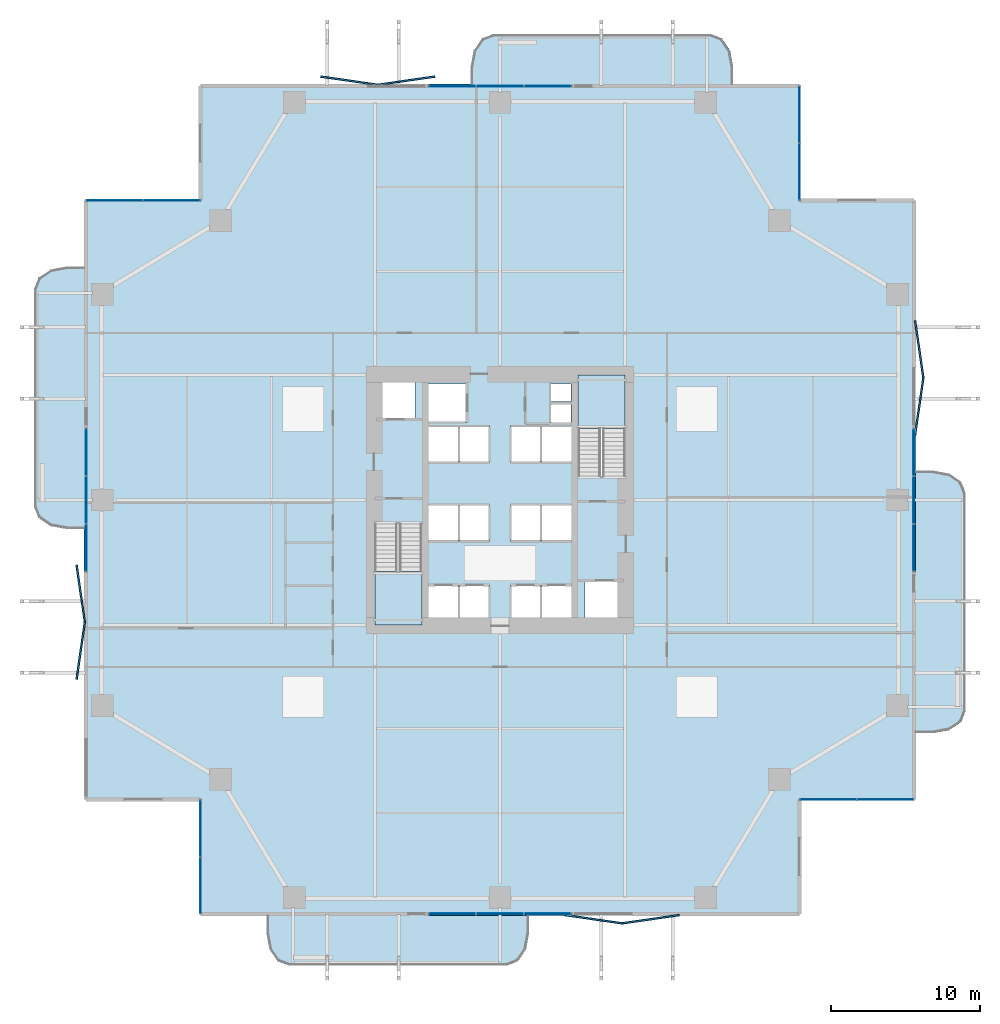
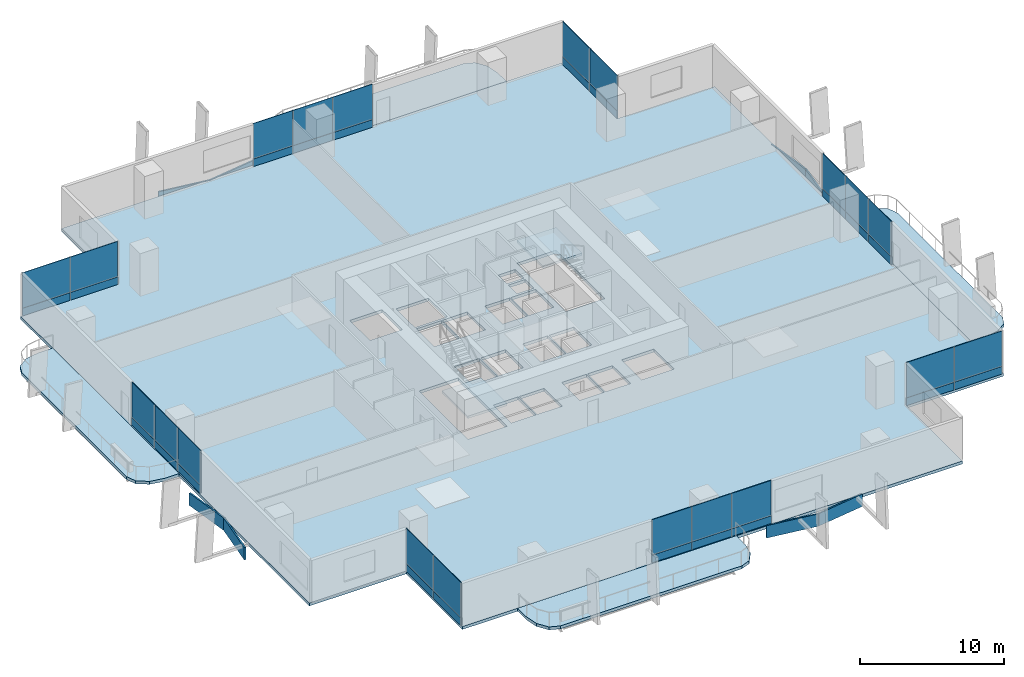
# One storey, part 23 of 30: 48 plates, 7 slabs, 10 elements without a shape of their own.
"""IFC4 building model written with IfcOpenShell, lengths in metres."""

from ifc_helpers import new_model, si_unit, direction, frame, origin, origin_2d, place, context, subcontext, project, spatial, polyline, rectangle, outline, extrude, material, layer, layer_set, type_object, element, aggregate, save


model = new_model("IFC4")

# Units and contexts
model_context = context("Model", 3, precision=1e-05, world=origin(), true_north=direction((0.0, 1.0)))
body_context = subcontext(model_context, "Body", "Model", "MODEL_VIEW")
ifc_project = project(units=[si_unit("LENGTHUNIT", "METRE"), si_unit("AREAUNIT", "SQUARE_METRE"), si_unit("VOLUMEUNIT", "CUBIC_METRE"), si_unit("PLANEANGLEUNIT", "RADIAN"), si_unit("MASSUNIT", "GRAM", prefix="KILO")], contexts=[model_context])

# Site, building, storey
site_placement = place(None, origin())
site = spatial("IfcSite", under=ifc_project, at=site_placement, CompositionType="ELEMENT")
building_placement = place(site_placement, origin())
building = spatial("IfcBuilding", under=site, at=building_placement, Name="Belovzor Exchange Tower", CompositionType="ELEMENT")
storey_placement = place(building_placement, frame((0.0, 0.0, 30.0)))
storey = spatial("IfcBuildingStorey", under=building, at=storey_placement, Name="L06", CompositionType="ELEMENT", Elevation=30.0)

# Slab
ifc_material_1 = material(Name="Concrete C40/50", Category="concrete")
ifc_layer_1 = layer(ifc_material_1, 0.25)
ifc_layer_set_1 = layer_set([ifc_layer_1], Name="Concrete C40/50")
slab_type_1 = type_object("IfcSlabType", Name="Composite Concrete Floor Deck Slab 250", PredefinedType="FLOOR", material=ifc_layer_set_1)
slab_1_placement = place(storey_placement, frame((0.0, 0.0, -0.25)))
element("IfcSlab", 1, at=slab_1_placement, inside=storey, type_object=slab_type_1, Name="SL-F250 Structural Slab L06", PredefinedType="FLOOR", context=body_context, shape_type="SweptSolid", body=[
    extrude(outline(polyline([(8.699951171875, 0.89990234375), (48.89990234375, 0.89990234375), (48.89990234375, 8.699951171875), (56.699951171875, 8.699951171875), (56.699951171875, 48.89990234375), (48.89990234375, 48.89990234375), (48.89990234375, 56.699951171875), (8.699951171875, 56.699951171875), (8.699951171875, 48.89990234375), (0.89990234375, 48.89990234375), (0.89990234375, 8.699951171875), (8.699951171875, 8.699951171875), (8.699951171875, 0.89990234375)]), holes=[polyline([(20.39990234375, 27.175048828125), (20.39990234375, 20.39990234375), (23.550048828125, 20.39990234375), (23.550048828125, 27.175048828125), (20.39990234375, 27.175048828125)]), polyline([(37.199951171875, 30.425048828125), (37.199951171875, 37.199951171875), (34.050048828125, 37.199951171875), (34.050048828125, 30.425048828125), (37.199951171875, 30.425048828125)]), polyline([(20.5, 34.199951171875), (23.10009765625, 34.199951171875), (23.10009765625, 37.0), (20.5, 37.0), (20.5, 34.199951171875)]), polyline([(34.5, 20.60009765625), (37.10009765625, 20.60009765625), (37.10009765625, 23.39990234375), (34.5, 23.39990234375), (34.5, 20.60009765625)]), polyline([(24.0, 34.0), (26.60009765625, 34.0), (26.60009765625, 36.60009765625), (24.0, 36.60009765625), (24.0, 34.0)]), polyline([(24.0, 20.60009765625), (26.0, 20.60009765625), (26.0, 23.10009765625), (24.0, 23.10009765625), (24.0, 20.60009765625)]), polyline([(26.10009765625, 20.60009765625), (28.10009765625, 20.60009765625), (28.10009765625, 23.10009765625), (26.10009765625, 23.10009765625), (26.10009765625, 20.60009765625)]), polyline([(29.5, 20.60009765625), (31.5, 20.60009765625), (31.5, 23.10009765625), (29.5, 23.10009765625), (29.5, 20.60009765625)]), polyline([(31.60009765625, 20.60009765625), (33.60009765625, 20.60009765625), (33.60009765625, 23.10009765625), (31.60009765625, 23.10009765625), (31.60009765625, 20.60009765625)]), polyline([(24.0, 26.0), (26.0, 26.0), (26.0, 28.5), (24.0, 28.5), (24.0, 26.0)]), polyline([(26.10009765625, 26.0), (28.10009765625, 26.0), (28.10009765625, 28.5), (26.10009765625, 28.5), (26.10009765625, 26.0)]), polyline([(29.5, 26.0), (31.5, 26.0), (31.5, 28.5), (29.5, 28.5), (29.5, 26.0)]), polyline([(31.60009765625, 26.0), (33.60009765625, 26.0), (33.60009765625, 28.5), (31.60009765625, 28.5), (31.60009765625, 26.0)]), polyline([(24.0, 31.300048828125), (26.0, 31.300048828125), (26.0, 33.800048828125), (24.0, 33.800048828125), (24.0, 31.300048828125)]), polyline([(26.10009765625, 31.300048828125), (28.10009765625, 31.300048828125), (28.10009765625, 33.800048828125), (26.10009765625, 33.800048828125), (26.10009765625, 31.300048828125)]), polyline([(29.5, 31.300048828125), (31.5, 31.300048828125), (31.5, 33.800048828125), (29.5, 33.800048828125), (29.5, 31.300048828125)]), polyline([(31.60009765625, 31.300048828125), (33.60009765625, 31.300048828125), (33.60009765625, 33.800048828125), (31.60009765625, 33.800048828125), (31.60009765625, 31.300048828125)]), polyline([(32.199951171875, 34.0), (33.550048828125, 34.0), (33.550048828125, 35.199951171875), (32.199951171875, 35.199951171875), (32.199951171875, 34.0)]), polyline([(32.199951171875, 35.39990234375), (33.550048828125, 35.39990234375), (33.550048828125, 36.60009765625), (32.199951171875, 36.60009765625), (32.199951171875, 35.39990234375)])]), origin(), (0.0, 0.0, 1.0), 0.25),
])

# Plates
ifc_material_2 = material(Name="Extruded Architectural Terracotta", Category="masonry")
ifc_layer_2 = layer(ifc_material_2, 0.1201171875)
ifc_layer_set_2 = layer_set([ifc_layer_2], Name="Extruded Architectural Terracotta")
plate_type_1 = type_object("IfcPlateType", Name="Folded Zigzag Terracotta Spandrel Louvre 80", PredefinedType="USERDEFINED", material=ifc_layer_set_2)
for number, where, z_axis, x_axis, name in (
    (2, (18.699951171875, 56.93505859375, -1.03515625), (0.0, 0.0, 1.0), (0.989686419138, -0.143250800258, 0.0), "LVR-ZZ1 Zigzag Terracotta Spandrel Louvre L06 N1A"),
    (3, (22.5, 56.93505859375, -1.03515625), (0.0, 0.0, 1.0), (0.989686419138, 0.143250800258, 0.0), "LVR-ZZ1 Zigzag Terracotta Spandrel Louvre L06 N1B"),
    (4, (0.6650390625, 18.699951171875, -1.03515625), (0.0, 0.0, 1.0), (0.143250800258, 0.989686419138, 0.0), "LVR-ZZ1 Zigzag Terracotta Spandrel Louvre L06 W1A"),
    (5, (0.6650390625, 22.5, -1.03515625), (0.0, 0.0, 1.0), (-0.143250800258, 0.989686419138, 0.0), "LVR-ZZ1 Zigzag Terracotta Spandrel Louvre L06 W1B"),
    (6, (35.10009765625, 0.6650390625, -1.03515625), (0.0, 0.0, 1.0), (0.989686419138, -0.143250800258, 0.0), "LVR-ZZ1 Zigzag Terracotta Spandrel Louvre L06 S2A"),
    (7, (38.89990234375, 0.6650390625, -1.03515625), (0.0, 0.0, 1.0), (0.989686419138, 0.143250800258, 0.0), "LVR-ZZ1 Zigzag Terracotta Spandrel Louvre L06 S2B"),
    (8, (56.93505859375, 35.10009765625, -1.03515625), (0.0, 0.0, 1.0), (0.143250800258, 0.989686419138, 0.0), "LVR-ZZ1 Zigzag Terracotta Spandrel Louvre L06 E2A"),
    (9, (56.93505859375, 38.89990234375, -1.03515625), (0.0, 0.0, 1.0), (-0.143250800258, 0.989686419138, 0.0), "LVR-ZZ1 Zigzag Terracotta Spandrel Louvre L06 E2B"),
):
    element("IfcPlate", number, at=place(storey_placement, frame(where, z_axis=z_axis, x_axis=x_axis)), inside=storey, type_object=plate_type_1, Name=name, ObjectType="SPANDREL_LOUVRE", PredefinedType="USERDEFINED", context=body_context, shape_type="SweptSolid", body=[
        extrude(rectangle(XDim=3.919921875, YDim=0.1201171875, at=origin_2d()), origin(), (0.0, 0.0, 1.0), 1.050048828125),
    ])

# Curtain wall, plates
ifc_material_3 = material(Name="Anodised Aluminium Framing", Category="aluminium")
ifc_layer_3 = layer(ifc_material_3, 0.179931640625)
ifc_layer_set_3 = layer_set([ifc_layer_3], Name="Anodised Aluminium Framing")
curtain_wall_type_1 = type_object("IfcCurtainWallType", Name="Recessed Loggia Low-Iron Triple-Glazed Curtain Wall", PredefinedType="NOTDEFINED", material=ifc_layer_set_3)
curtain_wall_1_placement = place(storey_placement, origin())
curtain_wall_1 = element("IfcCurtainWall", 10, at=curtain_wall_1_placement, inside=storey, type_object=curtain_wall_type_1, Name="CW3 Recessed Loggia Low-Iron Triple-Glazed Curtain Wall L06", PredefinedType="NOTDEFINED")
ifc_material_4 = material(Name="Solar-Control Triple Glazing", Category="glass")
ifc_layer_4 = layer(ifc_material_4, 0.0439453125)
ifc_layer_set_4 = layer_set([ifc_layer_4], Name="Solar-Control Triple Glazing")
plate_type_2 = type_object("IfcPlateType", Name="Insulated Solar Glazing Curtain Panel 44", PredefinedType="CURTAIN_PANEL", material=ifc_layer_set_4)
plate_1_placement = place(storey_placement, frame((32.0, 1.030029296875, 0.65185546875), z_axis=(0.0, 0.0, 1.0), x_axis=(-1.0, 0.0, 0.0)))
plate_1 = element("IfcPlate", 11, at=plate_1_placement, type_object=plate_type_2, Name="GLZ-44 Glazed Curtain Panel 1", PredefinedType="CURTAIN_PANEL", context=body_context, shape_type="SweptSolid", body=[
    extrude(rectangle(XDim=3.18408203125, YDim=0.0439453125, at=origin_2d()), origin(), (0.0, 0.0, 1.0), 2.998046875),
])
plate_2_placement = place(storey_placement, frame((28.800048828125, 1.030029296875, 0.65185546875), z_axis=(0.0, 0.0, 1.0), x_axis=(-1.0, 0.0, 0.0)))
plate_2 = element("IfcPlate", 12, at=plate_2_placement, type_object=plate_type_2, Name="GLZ-44 Glazed Curtain Panel 2", PredefinedType="CURTAIN_PANEL", context=body_context, shape_type="SweptSolid", body=[
    extrude(rectangle(XDim=3.18408203125, YDim=0.0439453125, at=origin_2d()), origin(), (0.0, 0.0, 1.0), 2.998046875),
])
plate_3_placement = place(storey_placement, frame((25.60009765625, 1.030029296875, 0.65185546875), z_axis=(0.0, 0.0, 1.0), x_axis=(-1.0, 0.0, 0.0)))
plate_3 = element("IfcPlate", 13, at=plate_3_placement, type_object=plate_type_2, Name="GLZ-44 Glazed Curtain Panel 3", PredefinedType="CURTAIN_PANEL", context=body_context, shape_type="SweptSolid", body=[
    extrude(rectangle(XDim=3.18408203125, YDim=0.0439453125, at=origin_2d()), origin(), (0.0, 0.0, 1.0), 2.998046875),
])

curtain_wall_2_placement = place(storey_placement, origin())
curtain_wall_2 = element("IfcCurtainWall", 14, at=curtain_wall_2_placement, inside=storey, type_object=curtain_wall_type_1, Name="CW3 Recessed Loggia Low-Iron Triple-Glazed Curtain Wall L06", PredefinedType="NOTDEFINED")
plate_4_placement = place(storey_placement, frame((25.60009765625, 56.570068359375, 0.65185546875), z_axis=(0.0, 0.0, 1.0), x_axis=(1.0, 0.0, 0.0)))
plate_4 = element("IfcPlate", 15, at=plate_4_placement, type_object=plate_type_2, Name="GLZ-44 Glazed Curtain Panel 1", PredefinedType="CURTAIN_PANEL", context=body_context, shape_type="SweptSolid", body=[
    extrude(rectangle(XDim=3.18408203125, YDim=0.0439453125, at=origin_2d()), origin(), (0.0, 0.0, 1.0), 2.998046875),
])
plate_5_placement = place(storey_placement, frame((28.800048828125, 56.570068359375, 0.65185546875), z_axis=(0.0, 0.0, 1.0), x_axis=(1.0, 0.0, 0.0)))
plate_5 = element("IfcPlate", 16, at=plate_5_placement, type_object=plate_type_2, Name="GLZ-44 Glazed Curtain Panel 2", PredefinedType="CURTAIN_PANEL", context=body_context, shape_type="SweptSolid", body=[
    extrude(rectangle(XDim=3.18408203125, YDim=0.0439453125, at=origin_2d()), origin(), (0.0, 0.0, 1.0), 2.998046875),
])
plate_6_placement = place(storey_placement, frame((32.0, 56.570068359375, 0.65185546875), z_axis=(0.0, 0.0, 1.0), x_axis=(1.0, 0.0, 0.0)))
plate_6 = element("IfcPlate", 17, at=plate_6_placement, type_object=plate_type_2, Name="GLZ-44 Glazed Curtain Panel 3", PredefinedType="CURTAIN_PANEL", context=body_context, shape_type="SweptSolid", body=[
    extrude(rectangle(XDim=3.18408203125, YDim=0.0439453125, at=origin_2d()), origin(), (0.0, 0.0, 1.0), 2.998046875),
])

curtain_wall_3_placement = place(storey_placement, origin())
curtain_wall_3 = element("IfcCurtainWall", 18, at=curtain_wall_3_placement, inside=storey, type_object=curtain_wall_type_1, Name="CW3 Recessed Loggia Low-Iron Triple-Glazed Curtain Wall L06", PredefinedType="NOTDEFINED")
plate_7_placement = place(storey_placement, frame((1.030029296875, 25.60009765625, 0.65185546875), z_axis=(0.0, 0.0, 1.0), x_axis=(0.0, 1.0, 0.0)))
plate_7 = element("IfcPlate", 19, at=plate_7_placement, type_object=plate_type_2, Name="GLZ-44 Glazed Curtain Panel 1", PredefinedType="CURTAIN_PANEL", context=body_context, shape_type="SweptSolid", body=[
    extrude(rectangle(XDim=3.18408203125, YDim=0.0439453125, at=origin_2d()), origin(), (0.0, 0.0, 1.0), 2.998046875),
])
plate_8_placement = place(storey_placement, frame((1.030029296875, 28.800048828125, 0.65185546875), z_axis=(0.0, 0.0, 1.0), x_axis=(0.0, 1.0, 0.0)))
plate_8 = element("IfcPlate", 20, at=plate_8_placement, type_object=plate_type_2, Name="GLZ-44 Glazed Curtain Panel 2", PredefinedType="CURTAIN_PANEL", context=body_context, shape_type="SweptSolid", body=[
    extrude(rectangle(XDim=3.18408203125, YDim=0.0439453125, at=origin_2d()), origin(), (0.0, 0.0, 1.0), 2.998046875),
])
plate_9_placement = place(storey_placement, frame((1.030029296875, 32.0, 0.65185546875), z_axis=(0.0, 0.0, 1.0), x_axis=(0.0, 1.0, 0.0)))
plate_9 = element("IfcPlate", 21, at=plate_9_placement, type_object=plate_type_2, Name="GLZ-44 Glazed Curtain Panel 3", PredefinedType="CURTAIN_PANEL", context=body_context, shape_type="SweptSolid", body=[
    extrude(rectangle(XDim=3.18408203125, YDim=0.0439453125, at=origin_2d()), origin(), (0.0, 0.0, 1.0), 2.998046875),
])

curtain_wall_4_placement = place(storey_placement, origin())
curtain_wall_4 = element("IfcCurtainWall", 22, at=curtain_wall_4_placement, inside=storey, type_object=curtain_wall_type_1, Name="CW3 Recessed Loggia Low-Iron Triple-Glazed Curtain Wall L06", PredefinedType="NOTDEFINED")
plate_10_placement = place(storey_placement, frame((56.570068359375, 32.0, 0.65185546875), z_axis=(0.0, 0.0, 1.0), x_axis=(0.0, -1.0, 0.0)))
plate_10 = element("IfcPlate", 23, at=plate_10_placement, type_object=plate_type_2, Name="GLZ-44 Glazed Curtain Panel 1", PredefinedType="CURTAIN_PANEL", context=body_context, shape_type="SweptSolid", body=[
    extrude(rectangle(XDim=3.18408203125, YDim=0.0439453125, at=origin_2d()), origin(), (0.0, 0.0, 1.0), 2.998046875),
])
plate_11_placement = place(storey_placement, frame((56.570068359375, 28.800048828125, 0.65185546875), z_axis=(0.0, 0.0, 1.0), x_axis=(0.0, -1.0, 0.0)))
plate_11 = element("IfcPlate", 24, at=plate_11_placement, type_object=plate_type_2, Name="GLZ-44 Glazed Curtain Panel 2", PredefinedType="CURTAIN_PANEL", context=body_context, shape_type="SweptSolid", body=[
    extrude(rectangle(XDim=3.18408203125, YDim=0.0439453125, at=origin_2d()), origin(), (0.0, 0.0, 1.0), 2.998046875),
])
plate_12_placement = place(storey_placement, frame((56.570068359375, 25.60009765625, 0.65185546875), z_axis=(0.0, 0.0, 1.0), x_axis=(0.0, -1.0, 0.0)))
plate_12 = element("IfcPlate", 25, at=plate_12_placement, type_object=plate_type_2, Name="GLZ-44 Glazed Curtain Panel 3", PredefinedType="CURTAIN_PANEL", context=body_context, shape_type="SweptSolid", body=[
    extrude(rectangle(XDim=3.18408203125, YDim=0.0439453125, at=origin_2d()), origin(), (0.0, 0.0, 1.0), 2.998046875),
])

ifc_material_5 = material(Name="Anodised Aluminium Framing", Category="aluminium")
ifc_layer_5 = layer(ifc_material_5, 0.195068359375)
ifc_layer_set_5 = layer_set([ifc_layer_5], Name="Anodised Aluminium Framing")
curtain_wall_type_2 = type_object("IfcCurtainWallType", Name="Notched Re-Entrant Corner Unitised Curtain Wall", PredefinedType="NOTDEFINED", material=ifc_layer_set_5)
curtain_wall_5_placement = place(storey_placement, origin())
curtain_wall_5 = element("IfcCurtainWall", 26, at=curtain_wall_5_placement, inside=storey, type_object=curtain_wall_type_2, Name="CW5 Notched Re-Entrant Corner Unitised Curtain Wall L06", PredefinedType="NOTDEFINED")
plate_13_placement = place(storey_placement, frame((8.699951171875, 2.947021484375, 0.65185546875), z_axis=(0.0, 0.0, 1.0), x_axis=(0.0, 1.0, 0.0)))
plate_13 = element("IfcPlate", 27, at=plate_13_placement, type_object=plate_type_2, Name="GLZ-44 Glazed Curtain Panel 1", PredefinedType="CURTAIN_PANEL", context=body_context, shape_type="SweptSolid", body=[
    extrude(rectangle(XDim=3.819091796875, YDim=0.0439453125, at=origin_2d()), origin(), (0.0, 0.0, 1.0), 2.998046875),
])
plate_14_placement = place(storey_placement, frame((8.699951171875, 6.781982421875, 0.65185546875), z_axis=(0.0, 0.0, 1.0), x_axis=(0.0, 1.0, 0.0)))
plate_14 = element("IfcPlate", 28, at=plate_14_placement, type_object=plate_type_2, Name="GLZ-44 Glazed Curtain Panel 2", PredefinedType="CURTAIN_PANEL", context=body_context, shape_type="SweptSolid", body=[
    extrude(rectangle(XDim=3.819091796875, YDim=0.0439453125, at=origin_2d()), origin(), (0.0, 0.0, 1.0), 2.998046875),
])

curtain_wall_6_placement = place(storey_placement, origin())
curtain_wall_6 = element("IfcCurtainWall", 29, at=curtain_wall_6_placement, inside=storey, type_object=curtain_wall_type_2, Name="CW5 Notched Re-Entrant Corner Unitised Curtain Wall L06", PredefinedType="NOTDEFINED")
plate_15_placement = place(storey_placement, frame((2.947021484375, 48.89990234375, 0.65185546875), z_axis=(0.0, 0.0, 1.0), x_axis=(1.0, 0.0, 0.0)))
plate_15 = element("IfcPlate", 30, at=plate_15_placement, type_object=plate_type_2, Name="GLZ-44 Glazed Curtain Panel 1", PredefinedType="CURTAIN_PANEL", context=body_context, shape_type="SweptSolid", body=[
    extrude(rectangle(XDim=3.819091796875, YDim=0.0439453125, at=origin_2d()), origin(), (0.0, 0.0, 1.0), 2.998046875),
])
plate_16_placement = place(storey_placement, frame((6.781982421875, 48.89990234375, 0.65185546875), z_axis=(0.0, 0.0, 1.0), x_axis=(1.0, 0.0, 0.0)))
plate_16 = element("IfcPlate", 31, at=plate_16_placement, type_object=plate_type_2, Name="GLZ-44 Glazed Curtain Panel 2", PredefinedType="CURTAIN_PANEL", context=body_context, shape_type="SweptSolid", body=[
    extrude(rectangle(XDim=3.819091796875, YDim=0.0439453125, at=origin_2d()), origin(), (0.0, 0.0, 1.0), 2.998046875),
])

curtain_wall_7_placement = place(storey_placement, origin())
curtain_wall_7 = element("IfcCurtainWall", 32, at=curtain_wall_7_placement, inside=storey, type_object=curtain_wall_type_2, Name="CW5 Notched Re-Entrant Corner Unitised Curtain Wall L06", PredefinedType="NOTDEFINED")
plate_17_placement = place(storey_placement, frame((48.89990234375, 54.653076171875, 0.65185546875), z_axis=(0.0, 0.0, 1.0), x_axis=(0.0, -1.0, 0.0)))
plate_17 = element("IfcPlate", 33, at=plate_17_placement, type_object=plate_type_2, Name="GLZ-44 Glazed Curtain Panel 1", PredefinedType="CURTAIN_PANEL", context=body_context, shape_type="SweptSolid", body=[
    extrude(rectangle(XDim=3.819091796875, YDim=0.0439453125, at=origin_2d()), origin(), (0.0, 0.0, 1.0), 2.998046875),
])
plate_18_placement = place(storey_placement, frame((48.89990234375, 50.81689453125, 0.65185546875), z_axis=(0.0, 0.0, 1.0), x_axis=(0.0, -1.0, 0.0)))
plate_18 = element("IfcPlate", 34, at=plate_18_placement, type_object=plate_type_2, Name="GLZ-44 Glazed Curtain Panel 2", PredefinedType="CURTAIN_PANEL", context=body_context, shape_type="SweptSolid", body=[
    extrude(rectangle(XDim=3.819091796875, YDim=0.0439453125, at=origin_2d()), origin(), (0.0, 0.0, 1.0), 2.998046875),
])

curtain_wall_8_placement = place(storey_placement, origin())
curtain_wall_8 = element("IfcCurtainWall", 35, at=curtain_wall_8_placement, inside=storey, type_object=curtain_wall_type_2, Name="CW5 Notched Re-Entrant Corner Unitised Curtain Wall L06", PredefinedType="NOTDEFINED")
plate_19_placement = place(storey_placement, frame((54.653076171875, 8.699951171875, 0.65185546875), z_axis=(0.0, 0.0, 1.0), x_axis=(-1.0, 0.0, 0.0)))
plate_19 = element("IfcPlate", 36, at=plate_19_placement, type_object=plate_type_2, Name="GLZ-44 Glazed Curtain Panel 1", PredefinedType="CURTAIN_PANEL", context=body_context, shape_type="SweptSolid", body=[
    extrude(rectangle(XDim=3.819091796875, YDim=0.0439453125, at=origin_2d()), origin(), (0.0, 0.0, 1.0), 2.998046875),
])
plate_20_placement = place(storey_placement, frame((50.81689453125, 8.699951171875, 0.65185546875), z_axis=(0.0, 0.0, 1.0), x_axis=(-1.0, 0.0, 0.0)))
plate_20 = element("IfcPlate", 37, at=plate_20_placement, type_object=plate_type_2, Name="GLZ-44 Glazed Curtain Panel 2", PredefinedType="CURTAIN_PANEL", context=body_context, shape_type="SweptSolid", body=[
    extrude(rectangle(XDim=3.819091796875, YDim=0.0439453125, at=origin_2d()), origin(), (0.0, 0.0, 1.0), 2.998046875),
])

# Stair, slab
ifc_material_6 = material(Name="Concrete C40/50", Category="concrete")
stair_type = type_object("IfcStairType", Name="Reinforced Concrete Dogleg Escape Stair 1350", PredefinedType="HALF_TURN_STAIR", material=ifc_material_6)
stair_1_placement = place(storey_placement, origin())
stair_1 = element("IfcStair", 38, at=stair_1_placement, inside=storey, type_object=stair_type, Name="L06 ST-1", PredefinedType="HALF_TURN_STAIR")
ifc_material_7 = material(Name="Concrete C40/50", Category="concrete")
ifc_layer_6 = layer(ifc_material_7, 0.199951171875)
ifc_layer_set_6 = layer_set([ifc_layer_6], Name="Concrete C40/50")
slab_type_2 = type_object("IfcSlabType", Name="Reinforced Concrete Stair Half-Landing Slab 200", PredefinedType="LANDING", material=ifc_layer_set_6)
slab_2_placement = place(storey_placement, frame((0.0, 0.0, 1.75)))
slab_2 = element("IfcSlab", 39, at=slab_2_placement, type_object=slab_type_2, Name="ST-1 landing 1", PredefinedType="LANDING", context=body_context, shape_type="SweptSolid", body=[
    extrude(outline(polyline([(20.39990234375, 24.010009765625), (20.39990234375, 20.39990234375), (23.550048828125, 20.39990234375), (23.550048828125, 24.010009765625), (20.39990234375, 24.010009765625)])), origin(), (0.0, 0.0, 1.0), 0.199951171875),
])
aggregate(stair_1, [slab_2])

stair_2_placement = place(storey_placement, origin())
stair_2 = element("IfcStair", 40, at=stair_2_placement, inside=storey, type_object=stair_type, Name="L06 ST-2", PredefinedType="HALF_TURN_STAIR")
slab_3_placement = place(storey_placement, frame((0.0, 0.0, 1.75)))
slab_3 = element("IfcSlab", 41, at=slab_3_placement, type_object=slab_type_2, Name="ST-2 landing 1", PredefinedType="LANDING", context=body_context, shape_type="SweptSolid", body=[
    extrude(outline(polyline([(37.199951171875, 33.590087890625), (37.199951171875, 37.199951171875), (34.050048828125, 37.199951171875), (34.050048828125, 33.590087890625), (37.199951171875, 33.590087890625)])), origin(), (0.0, 0.0, 1.0), 0.199951171875),
])
aggregate(stair_2, [slab_3])

# Plate
ifc_material_8 = material(Name="Extruded Architectural Terracotta", Category="masonry")
ifc_layer_7 = layer(ifc_material_8, 0.090087890625)
ifc_layer_set_7 = layer_set([ifc_layer_7], Name="Extruded Architectural Terracotta")
plate_type_3 = type_object("IfcPlateType", Name="Terracotta Shadow-Box Spandrel Panel 90", PredefinedType="CURTAIN_PANEL", material=ifc_layer_set_7)
plate_21_placement = place(storey_placement, frame((32.0, 1.030029296875, 0.0), z_axis=(0.0, 0.0, 1.0), x_axis=(-1.0, 0.0, 0.0)))
plate_21 = element("IfcPlate", 42, at=plate_21_placement, type_object=plate_type_3, Name="SPD-90 Spandrel Panel 1", PredefinedType="CURTAIN_PANEL", context=body_context, shape_type="SweptSolid", body=[
    extrude(rectangle(XDim=3.18408203125, YDim=0.090087890625, at=origin_2d()), origin(), (0.0, 0.0, 1.0), 0.64794921875),
])

plate_22_placement = place(storey_placement, frame((28.800048828125, 1.030029296875, 0.0), z_axis=(0.0, 0.0, 1.0), x_axis=(-1.0, 0.0, 0.0)))
plate_22 = element("IfcPlate", 43, at=plate_22_placement, type_object=plate_type_3, Name="SPD-90 Spandrel Panel 2", PredefinedType="CURTAIN_PANEL", context=body_context, shape_type="SweptSolid", body=[
    extrude(rectangle(XDim=3.18408203125, YDim=0.090087890625, at=origin_2d()), origin(), (0.0, 0.0, 1.0), 0.64794921875),
])

plate_23_placement = place(storey_placement, frame((25.60009765625, 1.030029296875, 0.0), z_axis=(0.0, 0.0, 1.0), x_axis=(-1.0, 0.0, 0.0)))
plate_23 = element("IfcPlate", 44, at=plate_23_placement, type_object=plate_type_3, Name="SPD-90 Spandrel Panel 3", PredefinedType="CURTAIN_PANEL", context=body_context, shape_type="SweptSolid", body=[
    extrude(rectangle(XDim=3.18408203125, YDim=0.090087890625, at=origin_2d()), origin(), (0.0, 0.0, 1.0), 0.64794921875),
])

aggregate(curtain_wall_1, [plate_21, plate_1, plate_22, plate_2, plate_23, plate_3])

plate_24_placement = place(storey_placement, frame((25.60009765625, 56.570068359375, 0.0), z_axis=(0.0, 0.0, 1.0), x_axis=(1.0, 0.0, 0.0)))
plate_24 = element("IfcPlate", 45, at=plate_24_placement, type_object=plate_type_3, Name="SPD-90 Spandrel Panel 1", PredefinedType="CURTAIN_PANEL", context=body_context, shape_type="SweptSolid", body=[
    extrude(rectangle(XDim=3.18408203125, YDim=0.090087890625, at=origin_2d()), origin(), (0.0, 0.0, 1.0), 0.64794921875),
])

plate_25_placement = place(storey_placement, frame((28.800048828125, 56.570068359375, 0.0), z_axis=(0.0, 0.0, 1.0), x_axis=(1.0, 0.0, 0.0)))
plate_25 = element("IfcPlate", 46, at=plate_25_placement, type_object=plate_type_3, Name="SPD-90 Spandrel Panel 2", PredefinedType="CURTAIN_PANEL", context=body_context, shape_type="SweptSolid", body=[
    extrude(rectangle(XDim=3.18408203125, YDim=0.090087890625, at=origin_2d()), origin(), (0.0, 0.0, 1.0), 0.64794921875),
])

plate_26_placement = place(storey_placement, frame((32.0, 56.570068359375, 0.0), z_axis=(0.0, 0.0, 1.0), x_axis=(1.0, 0.0, 0.0)))
plate_26 = element("IfcPlate", 47, at=plate_26_placement, type_object=plate_type_3, Name="SPD-90 Spandrel Panel 3", PredefinedType="CURTAIN_PANEL", context=body_context, shape_type="SweptSolid", body=[
    extrude(rectangle(XDim=3.18408203125, YDim=0.090087890625, at=origin_2d()), origin(), (0.0, 0.0, 1.0), 0.64794921875),
])

aggregate(curtain_wall_2, [plate_24, plate_4, plate_25, plate_5, plate_26, plate_6])

plate_27_placement = place(storey_placement, frame((1.030029296875, 25.60009765625, 0.0), z_axis=(0.0, 0.0, 1.0), x_axis=(0.0, 1.0, 0.0)))
plate_27 = element("IfcPlate", 48, at=plate_27_placement, type_object=plate_type_3, Name="SPD-90 Spandrel Panel 1", PredefinedType="CURTAIN_PANEL", context=body_context, shape_type="SweptSolid", body=[
    extrude(rectangle(XDim=3.18408203125, YDim=0.090087890625, at=origin_2d()), origin(), (0.0, 0.0, 1.0), 0.64794921875),
])

plate_28_placement = place(storey_placement, frame((1.030029296875, 28.800048828125, 0.0), z_axis=(0.0, 0.0, 1.0), x_axis=(0.0, 1.0, 0.0)))
plate_28 = element("IfcPlate", 49, at=plate_28_placement, type_object=plate_type_3, Name="SPD-90 Spandrel Panel 2", PredefinedType="CURTAIN_PANEL", context=body_context, shape_type="SweptSolid", body=[
    extrude(rectangle(XDim=3.18408203125, YDim=0.090087890625, at=origin_2d()), origin(), (0.0, 0.0, 1.0), 0.64794921875),
])

plate_29_placement = place(storey_placement, frame((1.030029296875, 32.0, 0.0), z_axis=(0.0, 0.0, 1.0), x_axis=(0.0, 1.0, 0.0)))
plate_29 = element("IfcPlate", 50, at=plate_29_placement, type_object=plate_type_3, Name="SPD-90 Spandrel Panel 3", PredefinedType="CURTAIN_PANEL", context=body_context, shape_type="SweptSolid", body=[
    extrude(rectangle(XDim=3.18408203125, YDim=0.090087890625, at=origin_2d()), origin(), (0.0, 0.0, 1.0), 0.64794921875),
])

aggregate(curtain_wall_3, [plate_27, plate_7, plate_28, plate_8, plate_29, plate_9])

plate_30_placement = place(storey_placement, frame((56.570068359375, 32.0, 0.0), z_axis=(0.0, 0.0, 1.0), x_axis=(0.0, -1.0, 0.0)))
plate_30 = element("IfcPlate", 51, at=plate_30_placement, type_object=plate_type_3, Name="SPD-90 Spandrel Panel 1", PredefinedType="CURTAIN_PANEL", context=body_context, shape_type="SweptSolid", body=[
    extrude(rectangle(XDim=3.18408203125, YDim=0.090087890625, at=origin_2d()), origin(), (0.0, 0.0, 1.0), 0.64794921875),
])

plate_31_placement = place(storey_placement, frame((56.570068359375, 28.800048828125, 0.0), z_axis=(0.0, 0.0, 1.0), x_axis=(0.0, -1.0, 0.0)))
plate_31 = element("IfcPlate", 52, at=plate_31_placement, type_object=plate_type_3, Name="SPD-90 Spandrel Panel 2", PredefinedType="CURTAIN_PANEL", context=body_context, shape_type="SweptSolid", body=[
    extrude(rectangle(XDim=3.18408203125, YDim=0.090087890625, at=origin_2d()), origin(), (0.0, 0.0, 1.0), 0.64794921875),
])

plate_32_placement = place(storey_placement, frame((56.570068359375, 25.60009765625, 0.0), z_axis=(0.0, 0.0, 1.0), x_axis=(0.0, -1.0, 0.0)))
plate_32 = element("IfcPlate", 53, at=plate_32_placement, type_object=plate_type_3, Name="SPD-90 Spandrel Panel 3", PredefinedType="CURTAIN_PANEL", context=body_context, shape_type="SweptSolid", body=[
    extrude(rectangle(XDim=3.18408203125, YDim=0.090087890625, at=origin_2d()), origin(), (0.0, 0.0, 1.0), 0.64794921875),
])

aggregate(curtain_wall_4, [plate_30, plate_10, plate_31, plate_11, plate_32, plate_12])

plate_33_placement = place(storey_placement, frame((8.699951171875, 2.947021484375, 0.0), z_axis=(0.0, 0.0, 1.0), x_axis=(0.0, 1.0, 0.0)))
plate_33 = element("IfcPlate", 54, at=plate_33_placement, type_object=plate_type_3, Name="SPD-90 Spandrel Panel 1", PredefinedType="CURTAIN_PANEL", context=body_context, shape_type="SweptSolid", body=[
    extrude(rectangle(XDim=3.819091796875, YDim=0.090087890625, at=origin_2d()), origin(), (0.0, 0.0, 1.0), 0.64794921875),
])

plate_34_placement = place(storey_placement, frame((8.699951171875, 6.781982421875, 0.0), z_axis=(0.0, 0.0, 1.0), x_axis=(0.0, 1.0, 0.0)))
plate_34 = element("IfcPlate", 55, at=plate_34_placement, type_object=plate_type_3, Name="SPD-90 Spandrel Panel 2", PredefinedType="CURTAIN_PANEL", context=body_context, shape_type="SweptSolid", body=[
    extrude(rectangle(XDim=3.819091796875, YDim=0.090087890625, at=origin_2d()), origin(), (0.0, 0.0, 1.0), 0.64794921875),
])

aggregate(curtain_wall_5, [plate_33, plate_13, plate_34, plate_14])

plate_35_placement = place(storey_placement, frame((2.947021484375, 48.89990234375, 0.0), z_axis=(0.0, 0.0, 1.0), x_axis=(1.0, 0.0, 0.0)))
plate_35 = element("IfcPlate", 56, at=plate_35_placement, type_object=plate_type_3, Name="SPD-90 Spandrel Panel 1", PredefinedType="CURTAIN_PANEL", context=body_context, shape_type="SweptSolid", body=[
    extrude(rectangle(XDim=3.819091796875, YDim=0.090087890625, at=origin_2d()), origin(), (0.0, 0.0, 1.0), 0.64794921875),
])

plate_36_placement = place(storey_placement, frame((6.781982421875, 48.89990234375, 0.0), z_axis=(0.0, 0.0, 1.0), x_axis=(1.0, 0.0, 0.0)))
plate_36 = element("IfcPlate", 57, at=plate_36_placement, type_object=plate_type_3, Name="SPD-90 Spandrel Panel 2", PredefinedType="CURTAIN_PANEL", context=body_context, shape_type="SweptSolid", body=[
    extrude(rectangle(XDim=3.819091796875, YDim=0.090087890625, at=origin_2d()), origin(), (0.0, 0.0, 1.0), 0.64794921875),
])

aggregate(curtain_wall_6, [plate_35, plate_15, plate_36, plate_16])

plate_37_placement = place(storey_placement, frame((48.89990234375, 54.653076171875, 0.0), z_axis=(0.0, 0.0, 1.0), x_axis=(0.0, -1.0, 0.0)))
plate_37 = element("IfcPlate", 58, at=plate_37_placement, type_object=plate_type_3, Name="SPD-90 Spandrel Panel 1", PredefinedType="CURTAIN_PANEL", context=body_context, shape_type="SweptSolid", body=[
    extrude(rectangle(XDim=3.819091796875, YDim=0.090087890625, at=origin_2d()), origin(), (0.0, 0.0, 1.0), 0.64794921875),
])

plate_38_placement = place(storey_placement, frame((48.89990234375, 50.81689453125, 0.0), z_axis=(0.0, 0.0, 1.0), x_axis=(0.0, -1.0, 0.0)))
plate_38 = element("IfcPlate", 59, at=plate_38_placement, type_object=plate_type_3, Name="SPD-90 Spandrel Panel 2", PredefinedType="CURTAIN_PANEL", context=body_context, shape_type="SweptSolid", body=[
    extrude(rectangle(XDim=3.819091796875, YDim=0.090087890625, at=origin_2d()), origin(), (0.0, 0.0, 1.0), 0.64794921875),
])

aggregate(curtain_wall_7, [plate_37, plate_17, plate_38, plate_18])

plate_39_placement = place(storey_placement, frame((54.653076171875, 8.699951171875, 0.0), z_axis=(0.0, 0.0, 1.0), x_axis=(-1.0, 0.0, 0.0)))
plate_39 = element("IfcPlate", 60, at=plate_39_placement, type_object=plate_type_3, Name="SPD-90 Spandrel Panel 1", PredefinedType="CURTAIN_PANEL", context=body_context, shape_type="SweptSolid", body=[
    extrude(rectangle(XDim=3.819091796875, YDim=0.090087890625, at=origin_2d()), origin(), (0.0, 0.0, 1.0), 0.64794921875),
])

plate_40_placement = place(storey_placement, frame((50.81689453125, 8.699951171875, 0.0), z_axis=(0.0, 0.0, 1.0), x_axis=(-1.0, 0.0, 0.0)))
plate_40 = element("IfcPlate", 61, at=plate_40_placement, type_object=plate_type_3, Name="SPD-90 Spandrel Panel 2", PredefinedType="CURTAIN_PANEL", context=body_context, shape_type="SweptSolid", body=[
    extrude(rectangle(XDim=3.819091796875, YDim=0.090087890625, at=origin_2d()), origin(), (0.0, 0.0, 1.0), 0.64794921875),
])

aggregate(curtain_wall_8, [plate_39, plate_19, plate_40, plate_20])

# Slabs
ifc_material_9 = material(Name="Concrete C40/50", Category="concrete")
ifc_layer_8 = layer(ifc_material_9, 0.25)
ifc_layer_set_8 = layer_set([ifc_layer_8], Name="Concrete C40/50")
slab_type_3 = type_object("IfcSlabType", Name="Thermally Broken Planted Balcony Slab 250", PredefinedType="FLOOR", material=ifc_layer_set_8)
slab_4_placement = place(storey_placement, frame((0.0, 0.0, -0.25)))
element("IfcSlab", 62, at=slab_4_placement, inside=storey, type_object=slab_type_3, Name="SL-BAL220 Planted Balcony Loggia L06 South", PredefinedType="FLOOR", context=body_context, shape_type="SweptSolid", body=[
    extrude(outline(polyline([(13.14990234375, 0.9150390625), (13.14990234375, -0.25), (13.35107421875, -1.35009765625), (13.89990234375, -2.155029296875), (14.64990234375, -2.449951171875), (29.25, -2.449951171875), (30.0, -2.155029296875), (30.549072265625, -1.35009765625), (30.75, -0.25), (30.75, 0.9150390625), (13.14990234375, 0.9150390625)])), origin(), (0.0, 0.0, 1.0), 0.25),
])
slab_5_placement = place(storey_placement, frame((0.0, 0.0, -0.25)))
element("IfcSlab", 63, at=slab_5_placement, inside=storey, type_object=slab_type_3, Name="SL-BAL220 Planted Balcony Loggia L06 North", PredefinedType="FLOOR", context=body_context, shape_type="SweptSolid", body=[
    extrude(outline(polyline([(44.449951171875, 56.68505859375), (44.449951171875, 57.85009765625), (44.2490234375, 58.949951171875), (43.699951171875, 59.7548828125), (42.949951171875, 60.050048828125), (28.35009765625, 60.050048828125), (27.60009765625, 59.7548828125), (27.051025390625, 58.949951171875), (26.85009765625, 57.85009765625), (26.85009765625, 56.68505859375), (44.449951171875, 56.68505859375)])), origin(), (0.0, 0.0, 1.0), 0.25),
])
slab_6_placement = place(storey_placement, frame((0.0, 0.0, -0.25)))
element("IfcSlab", 64, at=slab_6_placement, inside=storey, type_object=slab_type_3, Name="SL-BAL220 Planted Balcony Loggia L06 East", PredefinedType="FLOOR", context=body_context, shape_type="SweptSolid", body=[
    extrude(outline(polyline([(56.68505859375, 13.14990234375), (57.85009765625, 13.14990234375), (58.949951171875, 13.35107421875), (59.7548828125, 13.89990234375), (60.050048828125, 14.64990234375), (60.050048828125, 29.25), (59.7548828125, 30.0), (58.949951171875, 30.549072265625), (57.85009765625, 30.75), (56.68505859375, 30.75), (56.68505859375, 13.14990234375)])), origin(), (0.0, 0.0, 1.0), 0.25),
])
slab_7_placement = place(storey_placement, frame((0.0, 0.0, -0.25)))
element("IfcSlab", 65, at=slab_7_placement, inside=storey, type_object=slab_type_3, Name="SL-BAL220 Planted Balcony Loggia L06 West", PredefinedType="FLOOR", context=body_context, shape_type="SweptSolid", body=[
    extrude(outline(polyline([(0.9150390625, 44.449951171875), (-0.25, 44.449951171875), (-1.35009765625, 44.2490234375), (-2.155029296875, 43.699951171875), (-2.449951171875, 42.949951171875), (-2.449951171875, 28.35009765625), (-2.155029296875, 27.60009765625), (-1.35009765625, 27.051025390625), (-0.25, 26.85009765625), (0.9150390625, 26.85009765625), (0.9150390625, 44.449951171875)])), origin(), (0.0, 0.0, 1.0), 0.25),
])

save(model, "model.ifc")
